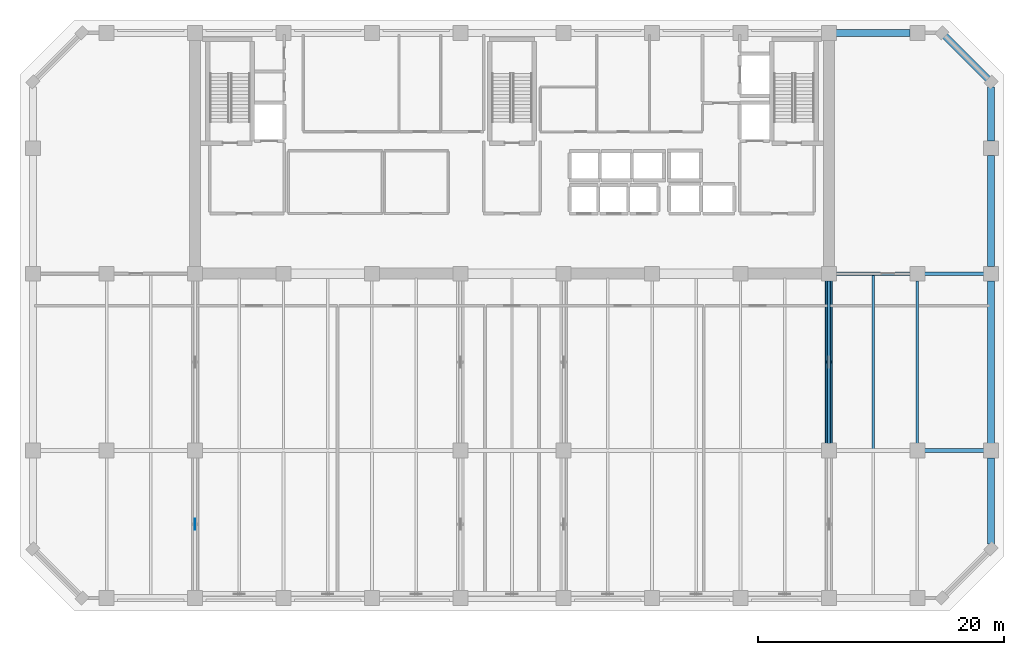
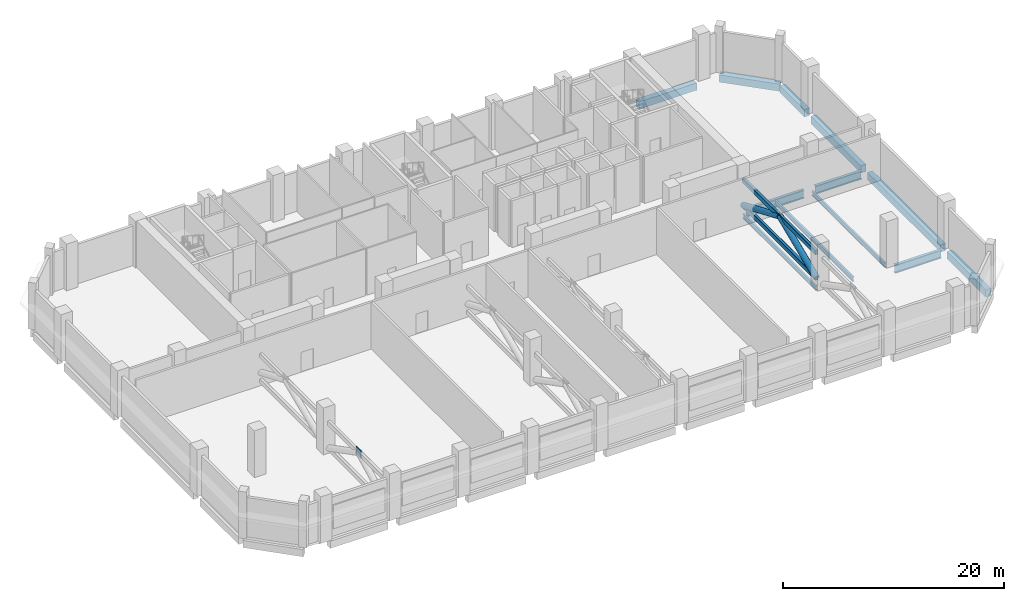
# One storey, part 3 of 13: 12 beams, 4 members, 1 plate.
"""IFC4 building model written with IfcOpenShell, lengths in metres."""

from ifc_helpers import new_model, si_unit, direction, frame, origin, origin_2d, place, context, subcontext, project, spatial, rectangle, hollow_rectangle, hollow_circle, i_section, extrude, material, layer, layer_set, material_profile, profile_set, type_object, element, save


model = new_model("IFC4")

# Units and contexts
model_context = context("Model", 3, precision=1e-05, world=origin(), true_north=direction((0.0, 1.0)))
body_context = subcontext(model_context, "Body", "Model", "MODEL_VIEW")
ifc_project = project(units=[si_unit("LENGTHUNIT", "METRE"), si_unit("AREAUNIT", "SQUARE_METRE"), si_unit("VOLUMEUNIT", "CUBIC_METRE"), si_unit("PLANEANGLEUNIT", "RADIAN"), si_unit("MASSUNIT", "GRAM", prefix="KILO")], contexts=[model_context])

# Site, building, storey
site_placement = place(None, origin())
site = spatial("IfcSite", under=ifc_project, at=site_placement, CompositionType="ELEMENT")
building_placement = place(site_placement, origin())
building = spatial("IfcBuilding", under=site, at=building_placement, Name="Kaelvorn Grand Hotel", CompositionType="ELEMENT")
storey_placement = place(building_placement, frame((0.0, 0.0, 184.75)))
storey = spatial("IfcBuildingStorey", under=building, at=storey_placement, Name="L45", CompositionType="ELEMENT", Elevation=184.75)

# Beams
ifc_material_1 = material(Name="Steel S460", Category="steel")
ifc_material_profile_1 = material_profile(ifc_material_1, i_section(OverallWidth=0.302001953125, OverallDepth=0.909912109375, WebThickness=0.02099609375, FlangeThickness=0.0400390625, FilletRadius=0.030029296875, at=origin_2d()), Name="HEM 900")
ifc_profile_set_1 = profile_set([ifc_material_profile_1], Name="Steel S460")
beam_type_1 = type_object("IfcBeamType", Name="BM-G-HEM900-S460", PredefinedType="BEAM", material=ifc_profile_set_1)
beam_1_placement = place(storey_placement, frame((75.5849609375, 15.0, -0.804931640625), z_axis=(1.0, 0.0, 0.0), x_axis=(0.0, 1.0, 0.0)))
element("IfcBeam", 1, at=beam_1_placement, inside=storey, type_object=beam_type_1, Name="L45 Primary Spine Steel Girder G-15 07", PredefinedType="BEAM", context=body_context, shape_type="SweptSolid", body=[
    extrude(i_section(OverallWidth=0.302001953125, OverallDepth=0.909912109375, WebThickness=0.02099609375, FlangeThickness=0.0400390625, FilletRadius=0.030029296875, at=origin_2d()), origin(), (0.0, 0.0, 1.0), 4.830078125),
])
beam_2_placement = place(storey_placement, frame((68.385009765625, 29.39990234375, -0.804931640625), z_axis=(1.0, 0.0, 0.0), x_axis=(0.0, 1.0, 0.0)))
element("IfcBeam", 2, at=beam_2_placement, inside=storey, type_object=beam_type_1, Name="L45 East Core Wing Steel Girder G-29E 01", PredefinedType="BEAM", context=body_context, shape_type="SweptSolid", body=[
    extrude(i_section(OverallWidth=0.302001953125, OverallDepth=0.909912109375, WebThickness=0.02099609375, FlangeThickness=0.0400390625, FilletRadius=0.030029296875, at=origin_2d()), origin(), (0.0, 0.0, 1.0), 6.030029296875),
])
beam_3_placement = place(storey_placement, frame((75.5849609375, 29.39990234375, -0.804931640625), z_axis=(1.0, 0.0, 0.0), x_axis=(0.0, 1.0, 0.0)))
element("IfcBeam", 3, at=beam_3_placement, inside=storey, type_object=beam_type_1, Name="L45 East Core Wing Steel Girder G-29E 02", PredefinedType="BEAM", context=body_context, shape_type="SweptSolid", body=[
    extrude(i_section(OverallWidth=0.302001953125, OverallDepth=0.909912109375, WebThickness=0.02099609375, FlangeThickness=0.0400390625, FilletRadius=0.030029296875, at=origin_2d()), origin(), (0.0, 0.0, 1.0), 4.830078125),
])
ifc_material_2 = material(Name="Steel S355", Category="steel")
ifc_material_profile_2 = material_profile(ifc_material_2, i_section(OverallWidth=0.199951171875, OverallDepth=0.5, WebThickness=0.01025390625, FlangeThickness=0.01611328125, FilletRadius=0.02099609375, at=origin_2d()), Name="IPE 500")
ifc_profile_set_2 = profile_set([ifc_material_profile_2], Name="Steel S355")
beam_type_2 = type_object("IfcBeamType", Name="BM-J-IPE500-S355", PredefinedType="JOIST", material=ifc_profile_set_2)
beam_4_placement = place(storey_placement, frame((67.800048828125, 15.5849609375, -0.60009765625), z_axis=(0.0, 1.0, 0.0), x_axis=(-1.0, 0.0, 0.0)))
element("IfcBeam", 4, at=beam_4_placement, inside=storey, type_object=beam_type_2, Name="L45 Composite Floor Joist JM-19", PredefinedType="JOIST", context=body_context, shape_type="SweptSolid", body=[
    extrude(i_section(OverallWidth=0.199951171875, OverallDepth=0.5, WebThickness=0.01025390625, FlangeThickness=0.01611328125, FilletRadius=0.02099609375, at=origin_2d()), origin(), (0.0, 0.0, 1.0), 13.22998046875),
])
beam_5_placement = place(storey_placement, frame((71.39990234375, 15.135986328125, -0.60009765625), z_axis=(0.0, 1.0, 0.0), x_axis=(-1.0, 0.0, 0.0)))
element("IfcBeam", 5, at=beam_5_placement, inside=storey, type_object=beam_type_2, Name="L45 Composite Floor Joist JM-20", PredefinedType="JOIST", context=body_context, shape_type="SweptSolid", body=[
    extrude(i_section(OverallWidth=0.199951171875, OverallDepth=0.5, WebThickness=0.01025390625, FlangeThickness=0.01611328125, FilletRadius=0.02099609375, at=origin_2d()), origin(), (0.0, 0.0, 1.0), 14.1279296875),
])
beam_6_placement = place(storey_placement, frame((75.0, 15.5849609375, -0.60009765625), z_axis=(0.0, 1.0, 0.0), x_axis=(-1.0, 0.0, 0.0)))
element("IfcBeam", 6, at=beam_6_placement, inside=storey, type_object=beam_type_2, Name="L45 Composite Floor Joist JM-21", PredefinedType="JOIST", context=body_context, shape_type="SweptSolid", body=[
    extrude(i_section(OverallWidth=0.199951171875, OverallDepth=0.5, WebThickness=0.01025390625, FlangeThickness=0.01611328125, FilletRadius=0.02099609375, at=origin_2d()), origin(), (0.0, 0.0, 1.0), 13.22998046875),
])
ifc_material_3 = material(Name="Concrete C50/60", Category="concrete")
ifc_material_profile_3 = material_profile(ifc_material_3, rectangle(XDim=0.550048828125, YDim=0.800048828125, at=origin_2d()), Name="RC SPANDREL 550x800")
ifc_profile_set_3 = profile_set([ifc_material_profile_3], Name="Concrete C50/60")
beam_type_3 = type_object("IfcBeamType", Name="BM-SP-550x800-C50", PredefinedType="SPANDREL", material=ifc_profile_set_3)
beam_7_placement = place(storey_placement, frame((68.385009765625, 49.0, -0.75), z_axis=(1.0, 0.0, 0.0), x_axis=(0.0, 1.0, 0.0)))
element("IfcBeam", 7, at=beam_7_placement, inside=storey, type_object=beam_type_3, Name="L45 North Perimeter Spandrel 10", PredefinedType="SPANDREL", context=body_context, shape_type="SweptSolid", body=[
    extrude(rectangle(XDim=0.550048828125, YDim=0.800048828125, at=origin_2d()), origin(), (0.0, 0.0, 1.0), 6.030029296875),
])
beam_8_placement = place(storey_placement, frame((81.0, 7.405029296875, -0.75), z_axis=(0.0, 1.0, 0.0), x_axis=(-1.0, 0.0, 0.0)))
element("IfcBeam", 8, at=beam_8_placement, inside=storey, type_object=beam_type_3, Name="L45 East Perimeter Spandrel 01", PredefinedType="SPANDREL", context=body_context, shape_type="SweptSolid", body=[
    extrude(rectangle(XDim=0.550048828125, YDim=0.800048828125, at=origin_2d()), origin(), (0.0, 0.0, 1.0), 7.010009765625),
])
beam_9_placement = place(storey_placement, frame((81.0, 15.5849609375, -0.75), z_axis=(0.0, 1.0, 0.0), x_axis=(-1.0, 0.0, 0.0)))
element("IfcBeam", 9, at=beam_9_placement, inside=storey, type_object=beam_type_3, Name="L45 East Perimeter Spandrel 02", PredefinedType="SPANDREL", context=body_context, shape_type="SweptSolid", body=[
    extrude(rectangle(XDim=0.550048828125, YDim=0.800048828125, at=origin_2d()), origin(), (0.0, 0.0, 1.0), 13.22998046875),
])
beam_10_placement = place(storey_placement, frame((81.0, 29.985107421875, -0.75), z_axis=(0.0, 1.0, 0.0), x_axis=(-1.0, 0.0, 0.0)))
element("IfcBeam", 10, at=beam_10_placement, inside=storey, type_object=beam_type_3, Name="L45 East Perimeter Spandrel 03", PredefinedType="SPANDREL", context=body_context, shape_type="SweptSolid", body=[
    extrude(rectangle(XDim=0.550048828125, YDim=0.800048828125, at=origin_2d()), origin(), (0.0, 0.0, 1.0), 9.02978515625),
])
beam_11_placement = place(storey_placement, frame((81.0, 40.18505859375, -0.75), z_axis=(0.0, 1.0, 0.0), x_axis=(-1.0, 0.0, 0.0)))
element("IfcBeam", 11, at=beam_11_placement, inside=storey, type_object=beam_type_3, Name="L45 East Perimeter Spandrel 04", PredefinedType="SPANDREL", context=body_context, shape_type="SweptSolid", body=[
    extrude(rectangle(XDim=0.550048828125, YDim=0.800048828125, at=origin_2d()), origin(), (0.0, 0.0, 1.0), 4.409912109375),
])
beam_12_placement = place(storey_placement, frame((81.0, 45.0, -0.75), z_axis=(-0.707106781187, 0.707106781187, 0.0), x_axis=(-0.707106781187, -0.707106781187, 0.0)))
element("IfcBeam", 12, at=beam_12_placement, inside=storey, type_object=beam_type_3, Name="L45 Chamfer Spandrel Beam 2", PredefinedType="SPANDREL", context=body_context, shape_type="SweptSolid", body=[
    extrude(rectangle(XDim=0.550048828125, YDim=0.800048828125, at=origin_2d()), origin(), (0.0, 0.0, 1.0), 5.65673828125),
])

# Members
ifc_material_profile_4 = material_profile(ifc_material_1, hollow_circle(Radius=0.304931640625, WallThickness=0.030029296875, at=origin_2d()), Name="CHS 610.0x30.0")
ifc_profile_set_4 = profile_set([ifc_material_profile_4], Name="Steel S460")
member_type_1 = type_object("IfcMemberType", Name="MB-OR-BRACE-CHS610", PredefinedType="BRACE", material=ifc_profile_set_4)
for number, where, z_axis, x_axis, name in (
    (13, (67.800048828125, 15.5849609375, 0.550048828125), (0.0, 0.9208973418, 0.389805189633), (-1.0, 0.0, 0.0), "L45 Outrigger Brace Diagonal A4.2"),
    (14, (67.800048828125, 22.199951171875, 3.35009765625), (0.0, 0.9208973418, -0.389805189633), (-1.0, 0.0, 0.0), "L45 Outrigger Brace Diagonal B4.2"),
):
    element("IfcMember", number, at=place(storey_placement, frame(where, z_axis=z_axis, x_axis=x_axis)), inside=storey, type_object=member_type_1, Name=name, PredefinedType="BRACE", context=body_context, shape_type="SweptSolid", body=[
        extrude(hollow_circle(Radius=0.304931640625, WallThickness=0.030029296875, at=origin_2d()), origin(), (0.0, 0.0, 1.0), 7.18310546875),
    ])
ifc_material_profile_5 = material_profile(ifc_material_1, hollow_rectangle(XDim=0.300048828125, YDim=0.5, WallThickness=0.02001953125, InnerFilletRadius=0.02001953125, OuterFilletRadius=0.0400390625, at=origin_2d()), Name="RHS 500x300x20.0")
ifc_profile_set_5 = profile_set([ifc_material_profile_5], Name="Steel S460")
member_type_2 = type_object("IfcMemberType", Name="MB-OR-CHORD-RHS500", PredefinedType="CHORD", material=ifc_profile_set_5)
for number, where, z_axis, x_axis, name in (
    (15, (67.800048828125, 15.5849609375, 0.550048828125), (0.0, 1.0, 0.0), (-1.0, 0.0, 0.0), "L45 Outrigger Bottom Chord OC-4.2"),
    (16, (67.800048828125, 15.5849609375, 3.35009765625), (0.0, 1.0, 0.0), (-1.0, 0.0, 0.0), "L45 Outrigger Top Chord OC-4.2"),
):
    element("IfcMember", number, at=place(storey_placement, frame(where, z_axis=z_axis, x_axis=x_axis)), inside=storey, type_object=member_type_2, Name=name, PredefinedType="CHORD", context=body_context, shape_type="SweptSolid", body=[
        extrude(hollow_rectangle(XDim=0.300048828125, YDim=0.5, WallThickness=0.02001953125, InnerFilletRadius=0.02001953125, OuterFilletRadius=0.0400390625, at=origin_2d()), origin(), (0.0, 0.0, 1.0), 13.22998046875),
    ])

# Plate
ifc_layer = layer(ifc_material_1, 0.0400390625)
ifc_layer_set = layer_set([ifc_layer], Name="Steel S460")
plate_type = type_object("IfcPlateType", Name="PL-GUSSET-40-S460", PredefinedType="USERDEFINED", material=ifc_layer_set)
plate_placement = place(storey_placement, frame((16.199951171875, 9.0, 2.900146484375), z_axis=(0.0, 0.0, 1.0), x_axis=(1.0, 0.0, 0.0)))
element("IfcPlate", 17, at=plate_placement, inside=storey, type_object=plate_type, Name="L45 Outrigger Gusset End-Cap Plate 1.1", ObjectType="GUSSET_PLATE", PredefinedType="USERDEFINED", context=body_context, shape_type="SweptSolid", body=[
    extrude(rectangle(XDim=0.0400390625, YDim=0.89990234375, at=origin_2d()), origin(), (0.0, 0.0, 1.0), 0.89990234375),
])

save(model, "model.ifc")
